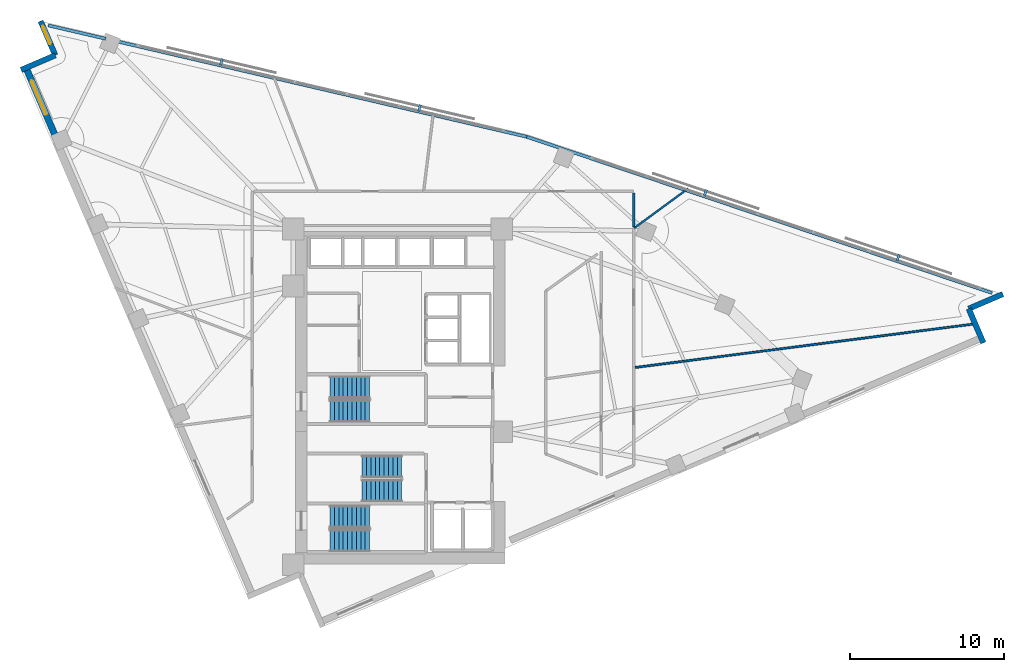
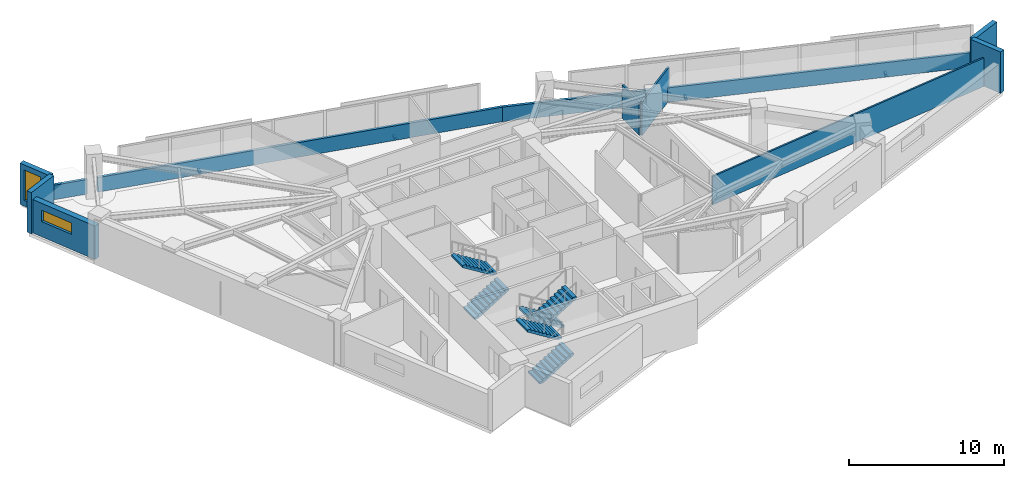
# One storey, part 12 of 14: 11 walls, 6 stair flights, 4 discrete accessories, 2 windows, 2 openings, 3 elements without a shape of their own.
"""IFC4 building model written with IfcOpenShell, lengths in metres."""

import ifcopenshell
import ifcopenshell.guid

model = None  # the IFC model being written
_history = None  # IfcOwnerHistory: only IFC2X3 demands one
_inside = {}  # id of a spatial element -> (the spatial element, [elements in it])
_under = {}  # id of a project, library or spatial element -> (it, [spatial elements below it])
_declared = {}  # id of a project -> (the project, [libraries it declares])
_typed = {}  # id of a type object -> (the type object, [elements of that type])
_made_of = {}  # id of a material, layer set ... -> (it, [elements and type objects made of it])


def new_model(schema):
    """Start an empty IFC model of exactly this schema.

    Asked for "IFC4X3", IfcOpenShell would pick the latest addendum, in which some entities
    have other attributes; the version numbers below select the first issue.
    IFC2X3 requires an IfcOwnerHistory on every rooted entity: one is made here for all.
    """
    global model, _history
    if schema == "IFC4X3":
        model = ifcopenshell.file(schema_version=(4, 3, 0, 0))
    else:
        model = ifcopenshell.file(schema=schema)
    _inside.clear()
    _under.clear()
    _declared.clear()
    _typed.clear()
    _made_of.clear()
    _history = None
    if model.schema == "IFC2X3":
        org = make("IfcOrganization", Name="unknown")
        user = make(
            "IfcPersonAndOrganization",
            ThePerson=make("IfcPerson", FamilyName="unknown"),
            TheOrganization=org,
        )
        app = make(
            "IfcApplication",
            ApplicationDeveloper=org,
            Version="unknown",
            ApplicationFullName="unknown",
            ApplicationIdentifier="unknown",
        )
        _history = make(
            "IfcOwnerHistory",
            OwningUser=user,
            OwningApplication=app,
            ChangeAction="ADDED",
            CreationDate=0,
        )
    return model


def make(cls, **values):
    """One entity of the class cls with the attributes given. An attribute that is None is left unset."""
    return model.create_entity(
        cls, **{name: value for name, value in values.items() if value is not None}
    )


def rooted(cls, **values):
    """An entity with a GlobalId (a new one), such as an element, a storey or a relation."""
    return make(cls, GlobalId=ifcopenshell.guid.new(), OwnerHistory=_history, **values)


def si_unit(unit_type, name, prefix=None):
    """IfcSIUnit, for example si_unit("LENGTHUNIT", "METRE", prefix="MILLI")."""
    return make("IfcSIUnit", UnitType=unit_type, Prefix=prefix, Name=name)


def assignment(units):
    """IfcUnitAssignment: the units of a project."""
    return None if units is None else make("IfcUnitAssignment", Units=units)


def point(xyz):
    """IfcCartesianPoint."""
    return None if xyz is None else make("IfcCartesianPoint", Coordinates=xyz)


def direction(xyz):
    """IfcDirection."""
    return None if xyz is None else make("IfcDirection", DirectionRatios=xyz)


def frame(location, z_axis=None, x_axis=None):
    """IfcAxis2Placement3D, a coordinate frame: its origin and axes. An axis left out is left unset."""
    return make(
        "IfcAxis2Placement3D",
        Location=point(location),
        Axis=direction(z_axis),
        RefDirection=direction(x_axis),
    )


def frame_2d(location, x_axis=None):
    """IfcAxis2Placement2D, a coordinate frame in the plane: its origin and x axis."""
    return make(
        "IfcAxis2Placement2D", Location=point(location), RefDirection=direction(x_axis)
    )


def origin():
    """The frame at (0, 0, 0) with its axes left unset."""
    return frame((0.0, 0.0, 0.0))


def origin_2d():
    """The frame at (0, 0) in the plane with its x axis left unset."""
    return frame_2d((0.0, 0.0))


def place(relative_to, where):
    """IfcLocalPlacement: puts the frame where relative to a parent placement (None: the world)."""
    return make(
        "IfcLocalPlacement", PlacementRelTo=relative_to, RelativePlacement=where
    )


def context(
    kind, dimensions, precision=None, world=None, true_north=None, identifier=None
):
    """IfcGeometricRepresentationContext, for example the 3D "Model" context."""
    return make(
        "IfcGeometricRepresentationContext",
        ContextIdentifier=identifier,
        ContextType=kind,
        CoordinateSpaceDimension=dimensions,
        Precision=precision,
        WorldCoordinateSystem=world,
        TrueNorth=true_north,
    )


def subcontext(parent, identifier, kind, view, scale=None):
    """IfcGeometricRepresentationSubContext, for example "Body" below "Model"."""
    return make(
        "IfcGeometricRepresentationSubContext",
        ContextIdentifier=identifier,
        ContextType=kind,
        ParentContext=parent,
        TargetScale=scale,
        TargetView=view,
    )


def project(units=None, contexts=None):
    """IfcProject with its units and contexts."""
    return rooted(
        "IfcProject",
        Name="project",
        RepresentationContexts=contexts,
        UnitsInContext=assignment(units),
    )


def spatial(cls, under=None, at=None, **own):
    """A site, building, storey or space (cls), placed at a placement, below another one or the project."""
    s = rooted(cls, ObjectPlacement=at, **own)
    if under is not None:
        _under.setdefault(under.id(), (under, []))[1].append(s)
    return s


def polyline(points):
    """IfcPolyline through the points."""
    return make("IfcPolyline", Points=[point(p) for p in points])


def profile(cls, at=None, kind="AREA", **sizes):
    """A parametric profile (cls). Its sizes go by their IFC names, for example OverallWidth=200.0."""
    return make(cls, ProfileType=kind, Position=at, **sizes)


def rectangle(**sizes):
    """IfcRectangleProfileDef."""
    return profile("IfcRectangleProfileDef", **sizes)


def outline(outer, holes=None, kind="AREA"):
    """IfcArbitraryClosedProfileDef: a profile drawn as a closed curve; with holes, ...WithVoids."""
    if holes is None:
        return make("IfcArbitraryClosedProfileDef", ProfileType=kind, OuterCurve=outer)
    return make(
        "IfcArbitraryProfileDefWithVoids",
        ProfileType=kind,
        OuterCurve=outer,
        InnerCurves=holes,
    )


def extrude(swept, where, along, depth):
    """IfcExtrudedAreaSolid: the profile swept, set in the frame where, extruded along a direction by depth."""
    return make(
        "IfcExtrudedAreaSolid",
        SweptArea=swept,
        Position=where,
        ExtrudedDirection=direction(along),
        Depth=depth,
    )


def shape(context_of_items, identifier, shape_type, items):
    """IfcShapeRepresentation: the items that make up one representation, for example the "Body"."""
    return make(
        "IfcShapeRepresentation",
        ContextOfItems=context_of_items,
        RepresentationIdentifier=identifier,
        RepresentationType=shape_type,
        Items=items,
    )


def material(Name=None, Category=None):
    """IfcMaterial."""
    return make("IfcMaterial", Name=Name, Category=Category)


def layer(
    of_material, thickness, ventilated=None, Name=None, Category=None, Priority=None
):
    """IfcMaterialLayer: one layer of a wall or slab, of a material (None: an air gap)."""
    return make(
        "IfcMaterialLayer",
        Material=of_material,
        LayerThickness=thickness,
        IsVentilated=ventilated,
        Name=Name,
        Category=Category,
        Priority=Priority,
    )


def layer_set(layers, Name=None):
    """IfcMaterialLayerSet."""
    return make("IfcMaterialLayerSet", MaterialLayers=layers, LayerSetName=Name)


def made_of(thing, what):
    """Note that an element or type object is made of a material, layer set ...; save() writes the relation."""
    if what is not None:
        _made_of.setdefault(what.id(), (what, []))[1].append(thing)
    return thing


def type_object(cls, material=None, **own):
    """A type object (cls), such as IfcWallType, which elements share."""
    return made_of(rooted(cls, **own), material)


def element(
    cls,
    number,
    at=None,
    inside=None,
    cuts=None,
    type_object=None,
    material=None,
    context=None,
    identifier="Body",
    shape_type=None,
    held_by="IfcProductDefinitionShape",
    body=None,
    shapes=None,
    **own,
):
    """One element of the class cls, such as IfcWall. Its Tag is "e" and its number.

    at: its placement. inside: the storey or other place that contains it. cuts: it is an
    opening in that element (IfcRelVoidsElement). A single representation is given by context,
    identifier, shape_type and body (its items); several are given by shapes. held_by: the class
    of the entity that holds the representations. save() writes the other relations.
    """
    e = rooted(cls, Tag="e%d" % number, ObjectPlacement=at, **own)
    if body is not None:
        shapes = [shape(context, identifier, shape_type, body)]
    if shapes is not None:
        e.Representation = make(held_by, Representations=shapes)
    if inside is not None:
        _inside.setdefault(inside.id(), (inside, []))[1].append(e)
    if cuts is not None:
        rooted(
            "IfcRelVoidsElement", RelatingBuildingElement=cuts, RelatedOpeningElement=e
        )
    if type_object is not None:
        _typed.setdefault(type_object.id(), (type_object, []))[1].append(e)
    return made_of(e, material)


def fill(opening, filler):
    """IfcRelFillsElement: the door or window that sits in an opening."""
    return rooted(
        "IfcRelFillsElement",
        RelatingOpeningElement=opening,
        RelatedBuildingElement=filler,
    )


def aggregate(whole, parts):
    """IfcRelAggregates: a whole, such as a stair, and the parts it consists of."""
    return rooted("IfcRelAggregates", RelatingObject=whole, RelatedObjects=parts)


def save(model, path):
    """Write the relations noted so far, then the file.

    IfcRelAggregates (storeys below a building ...), IfcRelContainedInSpatialStructure (elements
    in a storey), IfcRelDefinesByType, IfcRelAssociatesMaterial and IfcRelDeclares: one each for
    every whole, place, type object, material and project.
    """
    for whole, parts in _under.values():
        aggregate(whole, parts)
    for where, things in _inside.values():
        rooted(
            "IfcRelContainedInSpatialStructure",
            RelatedElements=things,
            RelatingStructure=where,
        )
    for kind, things in _typed.values():
        rooted("IfcRelDefinesByType", RelatedObjects=things, RelatingType=kind)
    for what, things in _made_of.values():
        rooted("IfcRelAssociatesMaterial", RelatedObjects=things, RelatingMaterial=what)
    for by, libraries in _declared.values():
        rooted("IfcRelDeclares", RelatingContext=by, RelatedDefinitions=libraries)
    model.write(path)


model = new_model("IFC4")

# Units and contexts
model_context = context("Model", 3, precision=1e-05, world=origin(), true_north=direction((0.0, 1.0)))
body_context = subcontext(model_context, "Body", "Model", "MODEL_VIEW")
ifc_project = project(units=[si_unit("LENGTHUNIT", "METRE"), si_unit("AREAUNIT", "SQUARE_METRE"), si_unit("VOLUMEUNIT", "CUBIC_METRE"), si_unit("PLANEANGLEUNIT", "RADIAN"), si_unit("MASSUNIT", "GRAM", prefix="KILO")], contexts=[model_context])

# Site, building, storey
site_placement = place(None, origin())
site = spatial("IfcSite", under=ifc_project, at=site_placement, CompositionType="ELEMENT")
building_placement = place(site_placement, origin())
building = spatial("IfcBuilding", under=site, at=building_placement, Name="Narakoshi Arena Tower", CompositionType="ELEMENT")
storey_placement = place(building_placement, frame((0.0, 0.0, 189.659912109375)))
storey = spatial("IfcBuildingStorey", under=building, at=storey_placement, Name="L51", CompositionType="ELEMENT", Elevation=189.659912109375)

# Walls
ifc_material_1 = material(Name="Gypsum plasterboard fire-rated partition")
ifc_layer_1 = layer(ifc_material_1, 0.1650390625)
ifc_layer_set_1 = layer_set([ifc_layer_1], Name="Gypsum plasterboard fire-rated partition")
wall_type_1 = type_object("IfcWallType", Name="WL-CORR-165", PredefinedType="PARTITIONING", material=ifc_layer_set_1)
wall_1_placement = place(storey_placement, frame((94.09619140625, 56.618408203125, 0.0), z_axis=(0.0, 0.0, 1.0), x_axis=(0.0, 1.0, 0.0)))
element("IfcWall", 1, at=wall_1_placement, inside=storey, type_object=wall_type_1, Name="L51 Corridor Partition 06-2", PredefinedType="PARTITIONING", context=body_context, shape_type="SweptSolid", body=[
    extrude(rectangle(XDim=2.22412109375, YDim=0.1650390625, at=frame_2d((1.112060546875, 0.0))), origin(), (0.0, 0.0, 1.0), 2.64501953125),
])
ifc_material_2 = material(Name="Precast concrete C45/55", Category="concrete")
ifc_layer_2 = layer(ifc_material_2, 0.25)
ifc_layer_set_2 = layer_set([ifc_layer_2], Name="Precast concrete C45/55")
wall_type_2 = type_object("IfcWallType", Name="WL-PARA-250", PredefinedType="PARAPET", material=ifc_layer_set_2)
wall_2_placement = place(storey_placement, frame((117.362548828125, 52.343505859375, 0.0), z_axis=(0.0, 0.0, 1.0), x_axis=(-0.94800468727, 0.31825636351, 0.0)))
element("IfcWall", 2, at=wall_2_placement, inside=storey, type_object=wall_type_2, Name="L51 Hypotenuse Sill Upstand Parapet 1-01", PredefinedType="PARAPET", context=body_context, shape_type="SweptSolid", body=[
    extrude(rectangle(XDim=31.869140625, YDim=0.199951171875, at=frame_2d((15.9345703125, 0.0))), origin(), (0.0, 0.0, 1.0), 1.150146484375),
])
wall_3_placement = place(storey_placement, frame((87.1650390625, 62.48193359375, 0.0), z_axis=(0.0, 0.0, 1.0), x_axis=(-0.973958631559, 0.226725790352, 0.0)))
element("IfcWall", 3, at=wall_3_placement, inside=storey, type_object=wall_type_2, Name="L51 Hypotenuse Sill Upstand Parapet 2-01", PredefinedType="PARAPET", context=body_context, shape_type="SweptSolid", body=[
    extrude(rectangle(XDim=27.375732421875, YDim=0.199951171875, at=frame_2d((13.68798828125, 0.0))), origin(), (0.0, 0.0, 1.0), 1.150146484375),
])
wall_4_placement = place(storey_placement, frame((59.8408203125, 68.842529296875, 0.0), z_axis=(0.0, 0.0, 1.0), x_axis=(-0.973951848941, 0.226754924851, 0.0)))
element("IfcWall", 4, at=wall_4_placement, inside=storey, type_object=wall_type_2, Name="L51 Hypotenuse Sill Upstand Parapet 2-02", PredefinedType="PARAPET", context=body_context, shape_type="SweptSolid", body=[
    extrude(rectangle(XDim=3.837158203125, YDim=0.199951171875, at=frame_2d((1.91845703125, 0.0))), origin(), (0.0, 0.0, 1.0), 1.150146484375),
])
ifc_layer_3 = layer(ifc_material_1, 0.125)
ifc_layer_set_3 = layer_set([ifc_layer_3], Name="Gypsum plasterboard fire-rated partition")
wall_type_3 = type_object("IfcWallType", Name="WL-PART-125", PredefinedType="PARTITIONING", material=ifc_layer_set_3)
wall_5_placement = place(storey_placement, frame((94.190673828125, 47.51025390625, 0.0), z_axis=(0.0, 0.0, 1.0), x_axis=(0.991870061786, 0.127254785896, 0.0)))
element("IfcWall", 5, at=wall_5_placement, inside=storey, type_object=wall_type_3, Name="L51 Inter-Room Partition 03-04", PredefinedType="PARTITIONING", context=body_context, shape_type="SweptSolid", body=[
    extrude(rectangle(XDim=22.260498046875, YDim=0.125, at=frame_2d((11.13037109375, 0.0))), origin(), (0.0, 0.0, 1.0), 2.2451171875),
])
wall_6_placement = place(storey_placement, frame((94.1376953125, 56.556396484375, 0.0), z_axis=(0.0, 0.0, 1.0), x_axis=(0.806335446405, 0.591458492094, 0.0)))
element("IfcWall", 6, at=wall_6_placement, inside=storey, type_object=wall_type_3, Name="L51 Inter-Room Partition 04-06", PredefinedType="PARTITIONING", context=body_context, shape_type="SweptSolid", body=[
    extrude(rectangle(XDim=4.352783203125, YDim=0.125, at=frame_2d((2.17626953125, 0.0))), origin(), (0.0, 0.0, 1.0), 2.64501953125),
])

# Wall, opening, window
ifc_layer_4 = layer(ifc_material_2, 0.419921875)
ifc_layer_set_4 = layer_set([ifc_layer_4], Name="Precast concrete C45/55")
wall_type_4 = type_object("IfcWallType", Name="WL-POD-420", PredefinedType="SOLIDWALL", material=ifc_layer_set_4)
wall_7_placement = place(storey_placement, frame((54.6708984375, 66.958984375, 0.0), z_axis=(0.0, 0.0, 1.0), x_axis=(0.394733507229, -0.918795656428, 0.0)))
wall_7 = element("IfcWall", 7, at=wall_7_placement, inside=storey, type_object=wall_type_4, Name="L51 Architectural Concrete Facade Wall LEGB-1", PredefinedType="SOLIDWALL", context=body_context, shape_type="SweptSolid", body=[
    extrude(rectangle(XDim=5.210205078125, YDim=0.419921875, at=frame_2d((2.60498046875, 0.0))), origin(), (0.0, 0.0, 1.0), 2.64501953125),
])
opening_1_placement = place(wall_7_placement, frame((0.89990234375, 0.0, 1.199951171875)))
opening_1 = element("IfcOpeningElement", 8, at=opening_1_placement, cuts=wall_7, Name="Opening WN-01", PredefinedType="OPENING", context=body_context, shape_type="SweptSolid", body=[
    extrude(rectangle(XDim=2.39990234375, YDim=0.89990234375, at=frame_2d((1.199951171875, 0.449951171875))), frame((0.0, 0.219970703125, 0.0), z_axis=(0.0, -1.0, 0.0), x_axis=(1.0, 0.0, 0.0)), (0.0, 0.0, 1.0), 0.43994140625),
])
ifc_material_3 = material(Name="Bronze-tinted low-E laminated glass", Category="glass")
window_type_1 = type_object("IfcWindowType", Name="WIN-SLT-24x09", PartitioningType="SINGLE_PANEL", PredefinedType="WINDOW", material=ifc_material_3)
window_1_placement = place(opening_1_placement, origin())
window_1 = element("IfcWindow", 9, at=window_1_placement, inside=storey, type_object=window_type_1, Name="L51 LEGB1 Horizontal Slot Window 1", OverallHeight=0.89990234375, OverallWidth=2.39990234375, PartitioningType="SINGLE_PANEL", PredefinedType="WINDOW", context=body_context, shape_type="SweptSolid", body=[
    extrude(rectangle(XDim=2.39990234375, YDim=0.89990234375, at=frame_2d((1.199951171875, 0.449951171875))), frame((0.0, 0.030029296875, 0.0), z_axis=(0.0, -1.0, 0.0), x_axis=(1.0, 0.0, 0.0)), (0.0, 0.0, 1.0), 0.06005859375),
])
fill(opening_1, window_1)

# Walls
wall_8_placement = place(storey_placement, frame((116.8017578125, 49.105712890625, 0.0), z_axis=(0.0, 0.0, 1.0), x_axis=(-0.394712707157, 0.918804592288, 0.0)))
element("IfcWall", 10, at=wall_8_placement, inside=storey, type_object=wall_type_4, Name="L51 Re-Entrant Corner Notch Wall NTE-1", PredefinedType="SOLIDWALL", context=body_context, shape_type="SweptSolid", body=[
    extrude(rectangle(XDim=2.41357421875, YDim=0.360107421875, at=frame_2d((1.206787109375, 0.0))), origin(), (0.0, 0.0, 1.0), 3.260009765625),
])
wall_9_placement = place(storey_placement, frame((115.84912109375, 51.3232421875, 0.0), z_axis=(0.0, 0.0, 1.0), x_axis=(0.918788830096, 0.394749396062, 0.0)))
element("IfcWall", 11, at=wall_9_placement, inside=storey, type_object=wall_type_4, Name="L51 Re-Entrant Corner Notch Wall NTE-2", PredefinedType="SOLIDWALL", context=body_context, shape_type="SweptSolid", body=[
    extrude(rectangle(XDim=2.413330078125, YDim=0.360107421875, at=frame_2d((1.20654296875, 0.0))), origin(), (0.0, 0.0, 1.0), 3.260009765625),
])

# Wall, opening, window
wall_10_placement = place(storey_placement, frame((55.614013671875, 69.99072265625, 0.0), z_axis=(0.0, 0.0, 1.0), x_axis=(0.394663989422, -0.918825519592, 0.0)))
wall_10 = element("IfcWall", 12, at=wall_10_placement, inside=storey, type_object=wall_type_4, Name="L51 Re-Entrant Corner Notch Wall NTN-1", PredefinedType="SOLIDWALL", context=body_context, shape_type="SweptSolid", body=[
    extrude(rectangle(XDim=2.4130859375, YDim=0.360107421875, at=frame_2d((1.20654296875, 0.0))), origin(), (0.0, 0.0, 1.0), 3.260009765625),
])
opening_2_placement = place(wall_10_placement, frame((0.340087890625, 0.0, 0.449951171875)))
opening_2 = element("IfcOpeningElement", 13, at=opening_2_placement, cuts=wall_10, Name="Opening WN-06", PredefinedType="OPENING", context=body_context, shape_type="SweptSolid", body=[
    extrude(rectangle(XDim=1.300048828125, YDim=2.39990234375, at=frame_2d((0.64990234375, 1.199951171875))), frame((0.0, 0.18994140625, 0.0), z_axis=(0.0, -1.0, 0.0), x_axis=(1.0, 0.0, 0.0)), (0.0, 0.0, 1.0), 0.380126953125),
])
window_type_2 = type_object("IfcWindowType", Name="WIN-NTC-16x24", PartitioningType="SINGLE_PANEL", PredefinedType="WINDOW", material=ifc_material_3)
window_2_placement = place(opening_2_placement, origin())
window_2 = element("IfcWindow", 14, at=window_2_placement, inside=storey, type_object=window_type_2, Name="L51 Corner Notch Window NTN", OverallHeight=2.39990234375, OverallWidth=1.300048828125, PartitioningType="SINGLE_PANEL", PredefinedType="WINDOW", context=body_context, shape_type="SweptSolid", body=[
    extrude(rectangle(XDim=1.300048828125, YDim=2.39990234375, at=frame_2d((0.64990234375, 1.199951171875))), frame((0.0, 0.030029296875, 0.0), z_axis=(0.0, -1.0, 0.0), x_axis=(1.0, 0.0, 0.0)), (0.0, 0.0, 1.0), 0.06005859375),
])
fill(opening_2, window_2)

# Wall
wall_11_placement = place(storey_placement, frame((56.56640625, 67.7734375, 0.0), z_axis=(0.0, 0.0, 1.0), x_axis=(-0.918788830096, -0.394749396062, 0.0)))
element("IfcWall", 15, at=wall_11_placement, inside=storey, type_object=wall_type_4, Name="L51 Re-Entrant Corner Notch Wall NTN-2", PredefinedType="SOLIDWALL", context=body_context, shape_type="SweptSolid", body=[
    extrude(rectangle(XDim=2.413330078125, YDim=0.360107421875, at=frame_2d((1.20654296875, 0.0))), origin(), (0.0, 0.0, 1.0), 3.260009765625),
])

# Stair, stair flights
ifc_material_4 = material(Name="Concrete C45/55", Category="concrete")
stair_type = type_object("IfcStairType", Name="STR-CORE-352", PredefinedType="TWO_STRAIGHT_RUN_STAIR", material=ifc_material_4)
stair_1_placement = place(storey_placement, origin())
stair_1 = element("IfcStair", 16, at=stair_1_placement, inside=storey, type_object=stair_type, Name="L51 Core Escape Stair ST1", PredefinedType="TWO_STRAIGHT_RUN_STAIR")
stair_flight_type = type_object("IfcStairFlightType", Name="FLT-145-160", PredefinedType="STRAIGHT", material=ifc_material_2)
stair_flight_1_placement = place(storey_placement, frame((74.39990234375, 36.27490234375, 0.0), z_axis=(0.0, 0.0, 1.0), x_axis=(1.0, 0.0, 0.0)))
stair_flight_1 = element("IfcStairFlight", 17, at=stair_flight_1_placement, type_object=stair_flight_type, Name="ST1 flight 1", NumberOfRisers=10, NumberOfTreads=9, PredefinedType="STRAIGHT", RiserHeight=0.176, TreadLength=0.285, context=body_context, shape_type="SweptSolid", body=[
    extrude(outline(polyline([(0.0, 0.0), (0.0, 0.176025390625), (0.284912109375, 0.176025390625), (0.284912109375, 0.35205078125), (0.570068359375, 0.35205078125), (0.570068359375, 0.528076171875), (0.85498046875, 0.528076171875), (0.85498046875, 0.7041015625), (1.139892578125, 0.7041015625), (1.139892578125, 0.8798828125), (1.425048828125, 0.8798828125), (1.425048828125, 1.055908203125), (1.7099609375, 1.055908203125), (1.7099609375, 1.23193359375), (1.9951171875, 1.23193359375), (1.9951171875, 1.407958984375), (2.280029296875, 1.407958984375), (2.280029296875, 1.583984375), (2.56494140625, 1.583984375), (2.56494140625, 1.760009765625), (2.56494140625, 1.40771484375), (0.285400390625, 0.0), (0.0, 0.0)])), frame((0.0, 0.72509765625, 0.0), z_axis=(0.0, -1.0, 0.0), x_axis=(1.0, 0.0, 0.0)), (0.0, 0.0, 1.0), 1.449951171875),
])
stair_flight_2_placement = place(storey_placement, frame((76.965087890625, 37.824951171875, 1.760009765625), z_axis=(0.0, 0.0, 1.0), x_axis=(-1.0, 0.0, 0.0)))
stair_flight_2 = element("IfcStairFlight", 18, at=stair_flight_2_placement, type_object=stair_flight_type, Name="ST1 flight 2", NumberOfRisers=10, NumberOfTreads=9, PredefinedType="STRAIGHT", RiserHeight=0.176, TreadLength=0.285, context=body_context, shape_type="SweptSolid", body=[
    extrude(outline(polyline([(0.0, 0.0), (0.0, 0.176025390625), (0.284912109375, 0.176025390625), (0.284912109375, 0.35205078125), (0.570068359375, 0.35205078125), (0.570068359375, 0.528076171875), (0.85498046875, 0.528076171875), (0.85498046875, 0.7041015625), (1.139892578125, 0.7041015625), (1.139892578125, 0.8798828125), (1.425048828125, 0.8798828125), (1.425048828125, 1.055908203125), (1.7099609375, 1.055908203125), (1.7099609375, 1.23193359375), (1.9951171875, 1.23193359375), (1.9951171875, 1.407958984375), (2.280029296875, 1.407958984375), (2.280029296875, 1.583984375), (2.56494140625, 1.583984375), (2.56494140625, 1.760009765625), (2.56494140625, 1.40771484375), (0.285400390625, 0.0), (0.0, 0.0)])), frame((0.0, 0.72509765625, 0.0), z_axis=(0.0, -1.0, 0.0), x_axis=(1.0, 0.0, 0.0)), (0.0, 0.0, 1.0), 1.449951171875),
])
aggregate(stair_1, [stair_flight_1, stair_flight_2])

stair_2_placement = place(storey_placement, origin())
stair_2 = element("IfcStair", 19, at=stair_2_placement, inside=storey, type_object=stair_type, Name="L51 Core Escape Stair ST2", PredefinedType="TWO_STRAIGHT_RUN_STAIR")
stair_flight_3_placement = place(storey_placement, frame((79.050048828125, 41.074951171875, 0.0), z_axis=(0.0, 0.0, 1.0), x_axis=(-1.0, 0.0, 0.0)))
stair_flight_3 = element("IfcStairFlight", 20, at=stair_flight_3_placement, type_object=stair_flight_type, Name="ST2 flight 1", NumberOfRisers=10, NumberOfTreads=9, PredefinedType="STRAIGHT", RiserHeight=0.176, TreadLength=0.285, context=body_context, shape_type="SweptSolid", body=[
    extrude(outline(polyline([(0.0, 0.0), (0.0, 0.176025390625), (0.284912109375, 0.176025390625), (0.284912109375, 0.35205078125), (0.570068359375, 0.35205078125), (0.570068359375, 0.528076171875), (0.85498046875, 0.528076171875), (0.85498046875, 0.7041015625), (1.139892578125, 0.7041015625), (1.139892578125, 0.8798828125), (1.425048828125, 0.8798828125), (1.425048828125, 1.055908203125), (1.7099609375, 1.055908203125), (1.7099609375, 1.23193359375), (1.9951171875, 1.23193359375), (1.9951171875, 1.407958984375), (2.280029296875, 1.407958984375), (2.280029296875, 1.583984375), (2.56494140625, 1.583984375), (2.56494140625, 1.760009765625), (2.56494140625, 1.40771484375), (0.285400390625, 0.0), (0.0, 0.0)])), frame((0.0, 0.72509765625, 0.0), z_axis=(0.0, -1.0, 0.0), x_axis=(1.0, 0.0, 0.0)), (0.0, 0.0, 1.0), 1.449951171875),
])
stair_flight_4_placement = place(storey_placement, frame((76.485107421875, 39.52490234375, 1.760009765625), z_axis=(0.0, 0.0, 1.0), x_axis=(1.0, 0.0, 0.0)))
stair_flight_4 = element("IfcStairFlight", 21, at=stair_flight_4_placement, type_object=stair_flight_type, Name="ST2 flight 2", NumberOfRisers=10, NumberOfTreads=9, PredefinedType="STRAIGHT", RiserHeight=0.176, TreadLength=0.285, context=body_context, shape_type="SweptSolid", body=[
    extrude(outline(polyline([(0.0, 0.0), (0.0, 0.176025390625), (0.284912109375, 0.176025390625), (0.284912109375, 0.35205078125), (0.570068359375, 0.35205078125), (0.570068359375, 0.528076171875), (0.85498046875, 0.528076171875), (0.85498046875, 0.7041015625), (1.139892578125, 0.7041015625), (1.139892578125, 0.8798828125), (1.425048828125, 0.8798828125), (1.425048828125, 1.055908203125), (1.7099609375, 1.055908203125), (1.7099609375, 1.23193359375), (1.9951171875, 1.23193359375), (1.9951171875, 1.407958984375), (2.280029296875, 1.407958984375), (2.280029296875, 1.583984375), (2.56494140625, 1.583984375), (2.56494140625, 1.760009765625), (2.56494140625, 1.40771484375), (0.285400390625, 0.0), (0.0, 0.0)])), frame((0.0, 0.72509765625, 0.0), z_axis=(0.0, -1.0, 0.0), x_axis=(1.0, 0.0, 0.0)), (0.0, 0.0, 1.0), 1.449951171875),
])
aggregate(stair_2, [stair_flight_3, stair_flight_4])

stair_3_placement = place(storey_placement, origin())
stair_3 = element("IfcStair", 22, at=stair_3_placement, inside=storey, type_object=stair_type, Name="L51 Core Escape Stair ST3", PredefinedType="TWO_STRAIGHT_RUN_STAIR")
stair_flight_5_placement = place(storey_placement, frame((74.39990234375, 44.675048828125, 0.0), z_axis=(0.0, 0.0, 1.0), x_axis=(1.0, 0.0, 0.0)))
stair_flight_5 = element("IfcStairFlight", 23, at=stair_flight_5_placement, type_object=stair_flight_type, Name="ST3 flight 1", NumberOfRisers=10, NumberOfTreads=9, PredefinedType="STRAIGHT", RiserHeight=0.176, TreadLength=0.285, context=body_context, shape_type="SweptSolid", body=[
    extrude(outline(polyline([(0.0, 0.0), (0.0, 0.176025390625), (0.284912109375, 0.176025390625), (0.284912109375, 0.35205078125), (0.570068359375, 0.35205078125), (0.570068359375, 0.528076171875), (0.85498046875, 0.528076171875), (0.85498046875, 0.7041015625), (1.139892578125, 0.7041015625), (1.139892578125, 0.8798828125), (1.425048828125, 0.8798828125), (1.425048828125, 1.055908203125), (1.7099609375, 1.055908203125), (1.7099609375, 1.23193359375), (1.9951171875, 1.23193359375), (1.9951171875, 1.407958984375), (2.280029296875, 1.407958984375), (2.280029296875, 1.583984375), (2.56494140625, 1.583984375), (2.56494140625, 1.760009765625), (2.56494140625, 1.40771484375), (0.285400390625, 0.0), (0.0, 0.0)])), frame((0.0, 0.72509765625, 0.0), z_axis=(0.0, -1.0, 0.0), x_axis=(1.0, 0.0, 0.0)), (0.0, 0.0, 1.0), 1.449951171875),
])
stair_flight_6_placement = place(storey_placement, frame((76.965087890625, 46.22509765625, 1.760009765625), z_axis=(0.0, 0.0, 1.0), x_axis=(-1.0, 0.0, 0.0)))
stair_flight_6 = element("IfcStairFlight", 24, at=stair_flight_6_placement, type_object=stair_flight_type, Name="ST3 flight 2", NumberOfRisers=10, NumberOfTreads=9, PredefinedType="STRAIGHT", RiserHeight=0.176, TreadLength=0.285, context=body_context, shape_type="SweptSolid", body=[
    extrude(outline(polyline([(0.0, 0.0), (0.0, 0.176025390625), (0.284912109375, 0.176025390625), (0.284912109375, 0.35205078125), (0.570068359375, 0.35205078125), (0.570068359375, 0.528076171875), (0.85498046875, 0.528076171875), (0.85498046875, 0.7041015625), (1.139892578125, 0.7041015625), (1.139892578125, 0.8798828125), (1.425048828125, 0.8798828125), (1.425048828125, 1.055908203125), (1.7099609375, 1.055908203125), (1.7099609375, 1.23193359375), (1.9951171875, 1.23193359375), (1.9951171875, 1.407958984375), (2.280029296875, 1.407958984375), (2.280029296875, 1.583984375), (2.56494140625, 1.583984375), (2.56494140625, 1.760009765625), (2.56494140625, 1.40771484375), (0.285400390625, 0.0), (0.0, 0.0)])), frame((0.0, 0.72509765625, 0.0), z_axis=(0.0, -1.0, 0.0), x_axis=(1.0, 0.0, 0.0)), (0.0, 0.0, 1.0), 1.449951171875),
])
aggregate(stair_3, [stair_flight_5, stair_flight_6])

# Discrete accessories
ifc_material_5 = material(Name="Structural steel S355J2", Category="steel")
discrete_accessory_type = type_object("IfcDiscreteAccessoryType", Name="ACC-BRK-SCR", PredefinedType="BRACKET", material=ifc_material_5)
for number, where, z_axis, x_axis, name in (
    (25, (111.266357421875, 54.64306640625, -0.080078125), (0.0, 0.0, 1.0), (-0.948001964735, 0.318264473134, 0.0), "L51 Solar Screen Support Bracket SHD-L51-SCR1-1"),
    (26, (98.752685546875, 58.84423828125, -0.080078125), (0.0, 0.0, 1.0), (-0.948001964735, 0.318264473134, 0.0), "L51 Solar Screen Support Bracket SHD-L51-SCR1-2"),
    (27, (80.206787109375, 64.34814453125, -0.080078125), (0.0, 0.0, 1.0), (-0.973960141659, 0.226719303234, 0.0), "L51 Solar Screen Support Bracket SHD-L51-SCR2-1"),
    (28, (67.3505859375, 67.3408203125, -0.080078125), (0.0, 0.0, 1.0), (-0.973960141659, 0.226719303234, 0.0), "L51 Solar Screen Support Bracket SHD-L51-SCR2-2"),
):
    element("IfcDiscreteAccessory", number, at=place(storey_placement, frame(where, z_axis=z_axis, x_axis=x_axis)), inside=storey, type_object=discrete_accessory_type, Name=name, PredefinedType="BRACKET", context=body_context, shape_type="SweptSolid", body=[
        extrude(rectangle(XDim=0.159912109375, YDim=0.43994140625, at=origin_2d()), origin(), (0.0, 0.0, 1.0), 0.199951171875),
    ])

save(model, "model.ifc")
